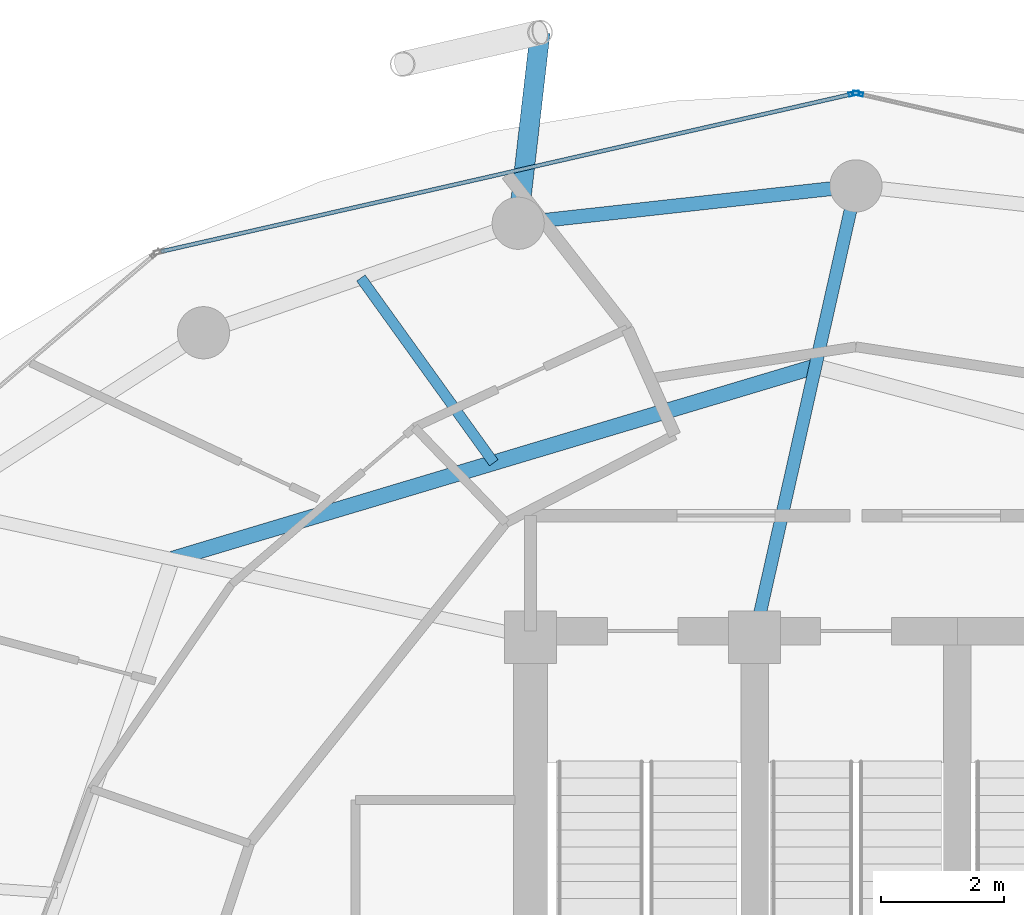
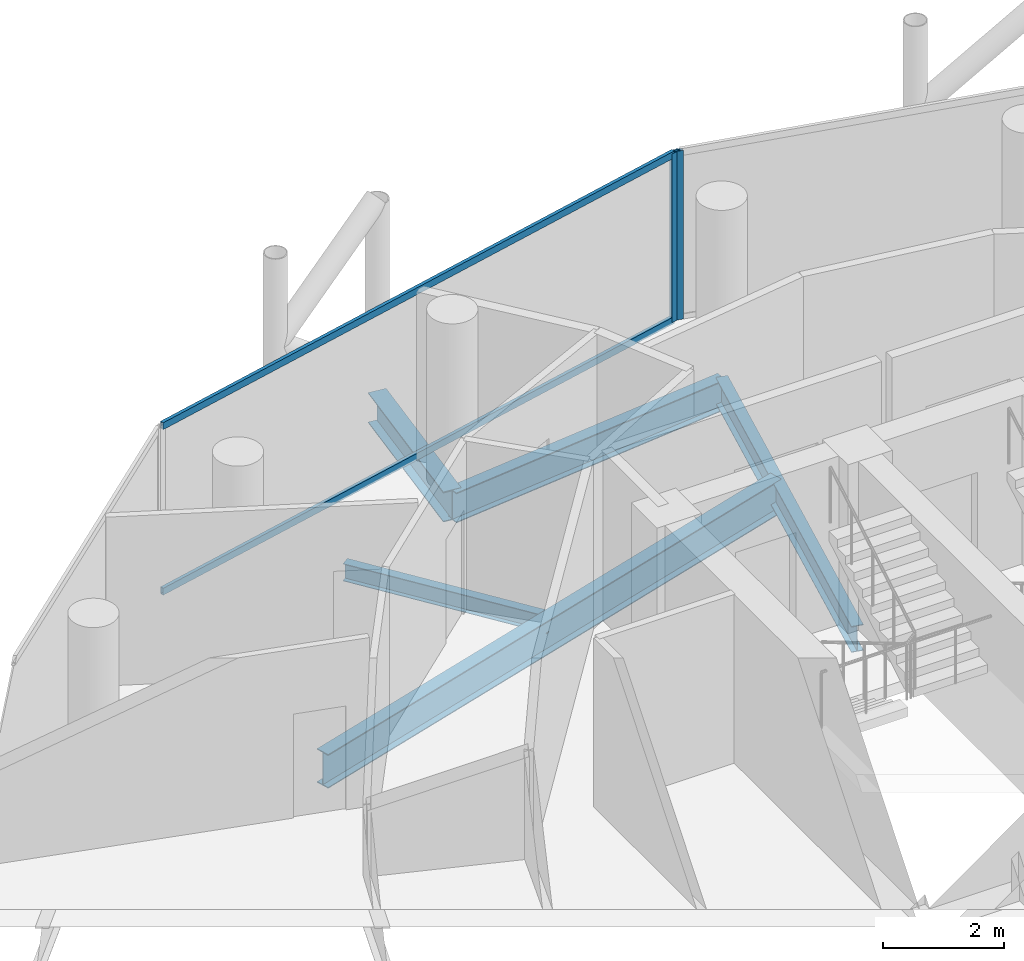
# One storey, part 19 of 27: 5 beams, 4 members, 2 elements without a shape of their own.
"""IFC4 building model written with IfcOpenShell, lengths in metres."""

from ifc_helpers import new_model, si_unit, direction, frame, origin, origin_2d, place, context, subcontext, project, spatial, hollow_rectangle, i_section, extrude, material, layer, layer_set, material_profile, profile_set, type_object, element, aggregate, save


model = new_model("IFC4")

# Units and contexts
model_context = context("Model", 3, precision=1e-05, world=origin(), true_north=direction((0.0, 1.0)))
body_context = subcontext(model_context, "Body", "Model", "MODEL_VIEW")
ifc_project = project(units=[si_unit("LENGTHUNIT", "METRE"), si_unit("AREAUNIT", "SQUARE_METRE"), si_unit("VOLUMEUNIT", "CUBIC_METRE"), si_unit("PLANEANGLEUNIT", "RADIAN"), si_unit("MASSUNIT", "GRAM", prefix="KILO")], contexts=[model_context])

# Site, building, storey
site_placement = place(None, origin())
site = spatial("IfcSite", under=ifc_project, at=site_placement, CompositionType="ELEMENT")
building_placement = place(site_placement, origin())
building = spatial("IfcBuilding", under=site, at=building_placement, Name="Nuhasar Tower", CompositionType="ELEMENT")
storey_placement = place(building_placement, frame((0.0, 0.0, 226.39990234375)))
storey = spatial("IfcBuildingStorey", under=building, at=storey_placement, Name="L55", CompositionType="ELEMENT", Elevation=226.39990234375)

# Beams
ifc_material_1 = material(Name="Steel S355", Category="steel")
ifc_material_profile_1 = material_profile(ifc_material_1, i_section(OverallWidth=0.25390625, OverallDepth=0.68408203125, WebThickness=0.012451171875, FlangeThickness=0.018798828125, at=origin_2d()), Name="W27X94")
ifc_profile_set_1 = profile_set([ifc_material_profile_1], Name="Steel S355")
beam_type_1 = type_object("IfcBeamType", Name="BM-INRING-W27X94", PredefinedType="BEAM", material=ifc_profile_set_1)
beam_1_placement = place(storey_placement, frame((38.340087890625, 41.7099609375, -0.581787109375), z_axis=(-0.957973628187, -0.28685628405, 0.0), x_axis=(0.28685628405, -0.957973628187, 0.0)))
element("IfcBeam", 1, at=beam_1_placement, inside=storey, type_object=beam_type_1, Name="L55 Inner Header Beam 06", PredefinedType="BEAM", context=body_context, shape_type="SweptSolid", body=[
    extrude(i_section(OverallWidth=0.25390625, OverallDepth=0.68408203125, WebThickness=0.012451171875, FlangeThickness=0.018798828125, at=origin_2d()), origin(), (0.0, 0.0, 1.0), 10.935546875),
])
ifc_material_profile_2 = material_profile(ifc_material_1, i_section(OverallWidth=0.1708984375, OverallDepth=0.35205078125, WebThickness=0.0068359375, FlangeThickness=0.009765625, at=origin_2d()), Name="W14X30")
ifc_profile_set_2 = profile_set([ifc_material_profile_2], Name="Steel S355")
beam_type_2 = type_object("IfcBeamType", Name="BM-JST-W14X30", PredefinedType="JOIST", material=ifc_profile_set_2)
beam_2_placement = place(storey_placement, frame((33.10205078125, 40.14208984375, -0.416015625), z_axis=(-0.58390205555, 0.811824112431, 0.0), x_axis=(-0.811824112431, -0.58390205555, 0.0)))
element("IfcBeam", 2, at=beam_2_placement, inside=storey, type_object=beam_type_2, Name="L55 Secondary Floor Joist 06", PredefinedType="JOIST", context=body_context, shape_type="SweptSolid", body=[
    extrude(i_section(OverallWidth=0.1708984375, OverallDepth=0.35205078125, WebThickness=0.0068359375, FlangeThickness=0.009765625, at=origin_2d()), origin(), (0.0, 0.0, 1.0), 3.706298828125),
])
ifc_material_profile_3 = material_profile(ifc_material_1, i_section(OverallWidth=0.208984375, OverallDepth=0.528076171875, WebThickness=0.009521484375, FlangeThickness=0.01318359375, at=origin_2d()), Name="W21X55")
ifc_profile_set_3 = profile_set([ifc_material_profile_3], Name="Steel S355")
beam_type_3 = type_object("IfcBeamType", Name="BM-RAD-W21X55", PredefinedType="BEAM", material=ifc_profile_set_3)
beam_3_placement = place(storey_placement, frame((37.35009765625, 37.300048828125, -0.50390625), z_axis=(0.219030156142, 0.975718089768, 0.0), x_axis=(-0.975718089768, 0.219030156142, 0.0)))
element("IfcBeam", 3, at=beam_3_placement, inside=storey, type_object=beam_type_3, Name="L55 Radial Floor Girder 06", PredefinedType="BEAM", context=body_context, shape_type="SweptSolid", body=[
    extrude(i_section(OverallWidth=0.208984375, OverallDepth=0.528076171875, WebThickness=0.009521484375, FlangeThickness=0.01318359375, at=origin_2d()), origin(), (0.0, 0.0, 1.0), 7.53271484375),
])
ifc_material_profile_4 = material_profile(ifc_material_1, i_section(OverallWidth=0.22802734375, OverallDepth=0.60791015625, WebThickness=0.01123046875, FlangeThickness=0.017333984375, at=origin_2d()), Name="W24X76")
ifc_profile_set_4 = profile_set([ifc_material_profile_4], Name="Steel S355")
beam_type_4 = type_object("IfcBeamType", Name="BM-RING-W24X76", PredefinedType="SPANDREL", material=ifc_profile_set_4)
beam_4_placement = place(storey_placement, frame((39.0, 44.64990234375, -0.5439453125), z_axis=(-0.993947060915, -0.109860093292, 0.0), x_axis=(0.109860093292, -0.993947060915, 0.0)))
element("IfcBeam", 4, at=beam_4_placement, inside=storey, type_object=beam_type_4, Name="L55 Perimeter Ring Spandrel 07", PredefinedType="SPANDREL", context=body_context, shape_type="SweptSolid", body=[
    extrude(i_section(OverallWidth=0.22802734375, OverallDepth=0.60791015625, WebThickness=0.01123046875, FlangeThickness=0.017333984375, at=origin_2d()), origin(), (0.0, 0.0, 1.0), 5.533447265625),
])
ifc_material_profile_5 = material_profile(ifc_material_1, i_section(OverallWidth=0.323974609375, OverallDepth=0.611083984375, WebThickness=0.0126953125, FlangeThickness=0.01904296875, at=origin_2d()), Name="W24X104")
ifc_profile_set_5 = profile_set([ifc_material_profile_5], Name="Steel S355")
beam_type_5 = type_object("IfcBeamType", Name="BM-TIE-W24X104", PredefinedType="BEAM", material=ifc_profile_set_5)
beam_5_placement = place(storey_placement, frame((33.5, 44.0419921875, -0.544921875), z_axis=(0.114132222314, 0.993465568517, 0.0), x_axis=(-0.993465568517, 0.114132222314, 0.0)))
element("IfcBeam", 5, at=beam_5_placement, inside=storey, type_object=beam_type_5, Name="L55 Exoskeleton Node Tie Beam 04", PredefinedType="BEAM", context=body_context, shape_type="SweptSolid", body=[
    extrude(i_section(OverallWidth=0.323974609375, OverallDepth=0.611083984375, WebThickness=0.0126953125, FlangeThickness=0.01904296875, at=origin_2d()), origin(), (0.0, 0.0, 1.0), 3.12744140625),
])

# Curtain wall, member
ifc_material_2 = material(Name="Aluminium 6063-T6", Category="aluminium")
ifc_layer = layer(ifc_material_2, 0.18994140625)
ifc_layer_set = layer_set([ifc_layer], Name="Aluminium 6063-T6")
curtain_wall_type = type_object("IfcCurtainWallType", Name="CW-Z3-RES", PredefinedType="NOTDEFINED", material=ifc_layer_set)
curtain_wall_1_placement = place(storey_placement, origin())
curtain_wall_1 = element("IfcCurtainWall", 6, at=curtain_wall_1_placement, inside=storey, type_object=curtain_wall_type, Name="L55 Unitised Curtain Wall 03", PredefinedType="NOTDEFINED")
ifc_material_profile_6 = material_profile(ifc_material_2, hollow_rectangle(XDim=0.06494140625, YDim=0.169921875, WallThickness=0.0048828125, at=origin_2d()), Name="CWM-4")
ifc_profile_set_6 = profile_set([ifc_material_profile_6], Name="Aluminium 6063-T6")
member_type_1 = type_object("IfcMemberType", Name="CW-MUL-S4", PredefinedType="MULLION", material=ifc_profile_set_6)
member_1_placement = place(storey_placement, frame((39.03173828125, 46.15283203125, 0.0), z_axis=(0.0, 0.0, 1.0), x_axis=(-0.222243176313, -0.974991266926, 0.0)))
member_1 = element("IfcMember", 7, at=member_1_placement, type_object=member_type_1, Name="CW-Z3 mullion 2", PredefinedType="MULLION", context=body_context, shape_type="SweptSolid", body=[
    extrude(hollow_rectangle(XDim=0.06494140625, YDim=0.169921875, WallThickness=0.0048828125, at=origin_2d()), origin(), (0.0, 0.0, 1.0), 3.41015625),
])
aggregate(curtain_wall_1, [member_1])

# Curtain wall, members
curtain_wall_2_placement = place(storey_placement, origin())
curtain_wall_2 = element("IfcCurtainWall", 8, at=curtain_wall_2_placement, inside=storey, type_object=curtain_wall_type, Name="L55 Unitised Curtain Wall 04", PredefinedType="NOTDEFINED")
member_2_placement = place(storey_placement, frame((38.96826171875, 46.15283203125, 0.0), z_axis=(0.0, 0.0, 1.0), x_axis=(0.222243176313, -0.974991266926, 0.0)))
member_2 = element("IfcMember", 9, at=member_2_placement, type_object=member_type_1, Name="CW-Z3 mullion 1", PredefinedType="MULLION", context=body_context, shape_type="SweptSolid", body=[
    extrude(hollow_rectangle(XDim=0.06494140625, YDim=0.169921875, WallThickness=0.0048828125, at=origin_2d()), origin(), (0.0, 0.0, 1.0), 3.41015625),
])
ifc_material_profile_7 = material_profile(ifc_material_2, hollow_rectangle(XDim=0.06494140625, YDim=0.139892578125, WallThickness=0.00439453125, at=origin_2d()), Name="CWT-4")
ifc_profile_set_7 = profile_set([ifc_material_profile_7], Name="Aluminium 6063-T6")
member_type_2 = type_object("IfcMemberType", Name="CW-TRN-S4", PredefinedType="USERDEFINED", material=ifc_profile_set_7)
member_3_placement = place(storey_placement, frame((38.9365234375, 46.1455078125, 0.03271484375), z_axis=(-0.974994070913, -0.222230874732, 0.0), x_axis=(0.222230874732, -0.974994070913, 0.0)))
member_3 = element("IfcMember", 10, at=member_3_placement, type_object=member_type_2, Name="CW-Z3 transom 1.1", ObjectType="TRANSOM", PredefinedType="USERDEFINED", context=body_context, shape_type="SweptSolid", body=[
    extrude(hollow_rectangle(XDim=0.06494140625, YDim=0.139892578125, WallThickness=0.00439453125, at=origin_2d()), origin(), (0.0, 0.0, 1.0), 11.541748046875),
])
member_4_placement = place(storey_placement, frame((38.9365234375, 46.1455078125, 3.377685546875), z_axis=(-0.974994070913, -0.222230874732, 0.0), x_axis=(0.222230874732, -0.974994070913, 0.0)))
member_4 = element("IfcMember", 11, at=member_4_placement, type_object=member_type_2, Name="CW-Z3 transom 1.2", ObjectType="TRANSOM", PredefinedType="USERDEFINED", context=body_context, shape_type="SweptSolid", body=[
    extrude(hollow_rectangle(XDim=0.06494140625, YDim=0.139892578125, WallThickness=0.00439453125, at=origin_2d()), origin(), (0.0, 0.0, 1.0), 11.541748046875),
])
aggregate(curtain_wall_2, [member_2, member_3, member_4])

save(model, "model.ifc")
